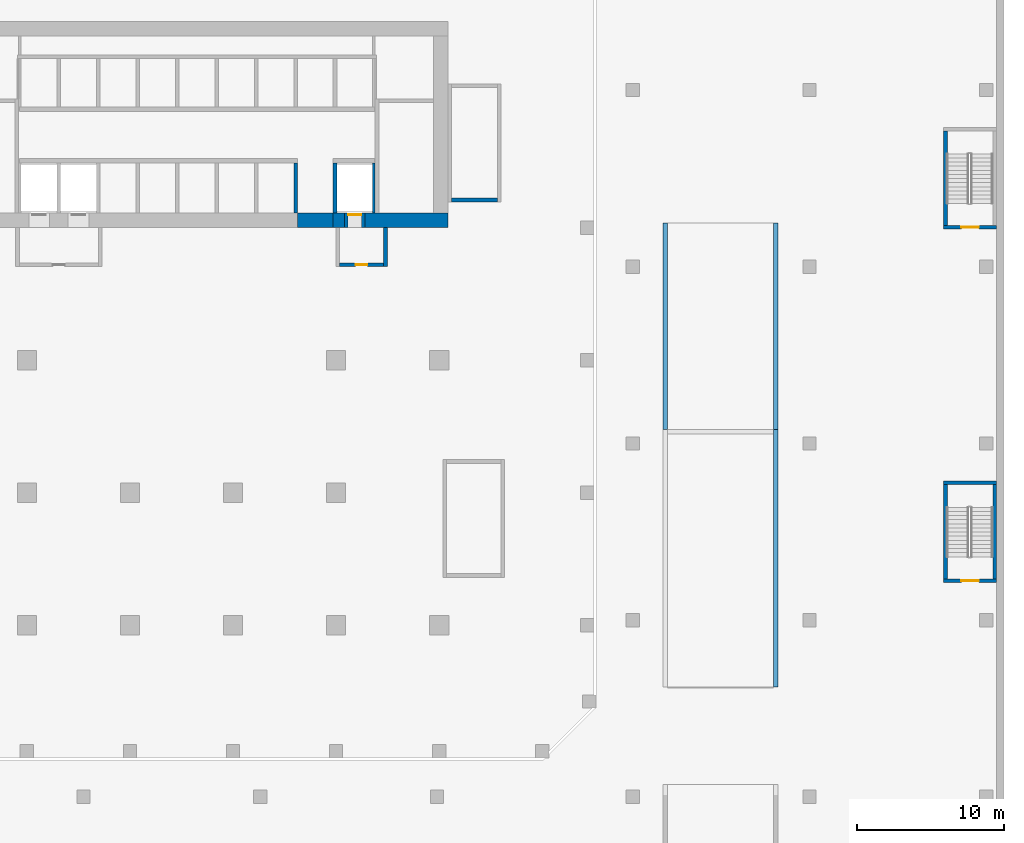
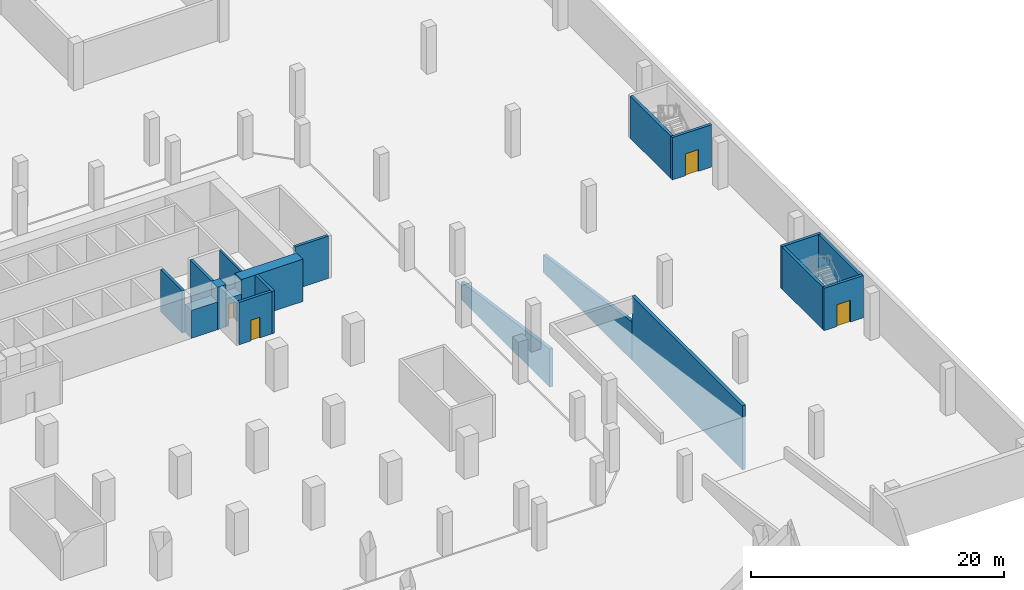
# One storey, part 6 of 11: 19 walls, 4 doors, 4 openings.
"""IFC4 building model written with IfcOpenShell, lengths in metres."""

from ifc_helpers import new_model, si_unit, direction, frame, frame_2d, origin, place, context, subcontext, project, spatial, polyline, rectangle, outline, extrude, source, transform, mapped, material, layer, layer_set, type_object, element, fill, save


model = new_model("IFC4")

# Units and contexts
model_context = context("Model", 3, precision=1e-05, world=origin(), true_north=direction((0.0, 1.0)))
body_context = subcontext(model_context, "Body", "Model", "MODEL_VIEW")
ifc_project = project(units=[si_unit("LENGTHUNIT", "METRE"), si_unit("AREAUNIT", "SQUARE_METRE"), si_unit("VOLUMEUNIT", "CUBIC_METRE"), si_unit("PLANEANGLEUNIT", "RADIAN"), si_unit("MASSUNIT", "GRAM", prefix="KILO")], contexts=[model_context])

# Site, building, storey
site_placement = place(None, origin())
site = spatial("IfcSite", under=ifc_project, at=site_placement, CompositionType="ELEMENT")
building_placement = place(site_placement, origin())
building = spatial("IfcBuilding", under=site, at=building_placement, Name="Kilnfold Tower and Market Hall", CompositionType="ELEMENT")
storey_placement = place(building_placement, frame((0.0, 0.0, -4.5)))
storey = spatial("IfcBuildingStorey", under=building, at=storey_placement, Name="B1", CompositionType="ELEMENT", Elevation=-4.5)

# Walls
ifc_material_1 = material(Name="Concrete C40/50", Category="concrete")
ifc_layer_1 = layer(ifc_material_1, 0.300048828125)
ifc_layer_set_1 = layer_set([ifc_layer_1], Name="Concrete C40/50")
wall_type_1 = type_object("IfcWallType", Name="CAR PARK RAMP SIDE WALL 300", PredefinedType="SOLIDWALL", material=ifc_layer_set_1)
wall_1_placement = place(storey_placement, frame((40.35009765625, -23.199951171875, -5.10009765625), z_axis=(0.0, 0.0, 1.0), x_axis=(0.0, 1.0, 0.0)))
element("IfcWall", 1, at=wall_1_placement, inside=storey, type_object=wall_type_1, Name="Ramp side wall 8", PredefinedType="SOLIDWALL", context=body_context, shape_type="SweptSolid", body=[
    extrude(outline(polyline([(0.0, 0.0), (17.5, 0.0), (17.5, 6.2001953125), (0.0, 6.2001953125), (0.0, 0.0)])), frame((0.0, 0.14990234375, 0.0), z_axis=(0.0, -1.0, 0.0), x_axis=(1.0, 0.0, 0.0)), (0.0, 0.0, 1.0), 0.300048828125),
])
for number, where, z_axis, x_axis, name in (
    (2, (32.85009765625, -5.699951171875, -5.10009765625), (0.0, 0.0, 1.0), (0.0, 1.0, 0.0), "Ramp side wall 9"),
    (3, (40.35009765625, -5.699951171875, -5.10009765625), (0.0, 0.0, 1.0), (0.0, 1.0, 0.0), "Ramp side wall 10"),
):
    element("IfcWall", number, at=place(storey_placement, frame(where, z_axis=z_axis, x_axis=x_axis)), inside=storey, type_object=wall_type_1, Name=name, PredefinedType="SOLIDWALL", context=body_context, shape_type="SweptSolid", body=[
        extrude(outline(polyline([(0.0, 0.0), (14.0, 0.0), (14.0, 1.7001953125), (0.0, 3.7001953125), (0.0, 0.0)])), frame((0.0, 0.14990234375, 0.0), z_axis=(0.0, -1.0, 0.0), x_axis=(1.0, 0.0, 0.0)), (0.0, 0.0, 1.0), 0.300048828125),
    ])
ifc_material_2 = material(Name="Concrete C80", Category="concrete")
ifc_layer_2 = layer(ifc_material_2, 1.0)
ifc_layer_set_2 = layer_set([ifc_layer_2], Name="Concrete C80")
wall_type_2 = type_object("IfcWallType", Name="CORE WALL 1000 C80", PredefinedType="SHEAR", material=ifc_layer_set_2)
shared_shape_1 = source(origin(), body_context, "Body", "SweptSolid", [
    extrude(rectangle(XDim=0.780029296875, YDim=1.0, at=frame_2d((0.39013671875, 0.0))), origin(), (0.0, 0.0, 1.0), 4.090087890625),
])
wall_2_placement = place(storey_placement, frame((10.2900390625, 8.5, 0.0), z_axis=(0.0, 0.0, 1.0), x_axis=(1.0, 0.0, 0.0)))
element("IfcWall", 4, at=wall_2_placement, inside=storey, type_object=wall_type_2, Name="Core outer wall south", PredefinedType="SHEAR", context=body_context, shape_type="MappedRepresentation", body=[
    mapped(shared_shape_1, transform((0.0, 0.0, 0.0))),
])
shared_shape_2 = source(origin(), body_context, "Body", "SweptSolid", [
    extrude(rectangle(XDim=5.630126953125, YDim=1.0, at=frame_2d((2.81494140625, 0.0))), origin(), (0.0, 0.0, 1.0), 4.090087890625),
])
wall_3_placement = place(storey_placement, frame((12.469970703125, 8.5, 0.0), z_axis=(0.0, 0.0, 1.0), x_axis=(1.0, 0.0, 0.0)))
element("IfcWall", 5, at=wall_3_placement, inside=storey, type_object=wall_type_2, Name="Core outer wall south", PredefinedType="SHEAR", context=body_context, shape_type="MappedRepresentation", body=[
    mapped(shared_shape_2, transform((0.0, 0.0, 0.0))),
])
ifc_material_3 = material(Name="Concrete C80", Category="concrete")
ifc_layer_3 = layer(ifc_material_3, 0.25)
ifc_layer_set_3 = layer_set([ifc_layer_3], Name="Concrete C80")
wall_type_3 = type_object("IfcWallType", Name="CORE WALL 250 C80", PredefinedType="SHEAR", material=ifc_layer_set_3)
shared_shape_3 = source(origin(), body_context, "Body", "SweptSolid", [
    extrude(rectangle(XDim=3.099853515625, YDim=0.25, at=frame_2d((1.5498046875, 0.0))), origin(), (0.0, 0.0, 1.0), 4.090087890625),
])
wall_4_placement = place(storey_placement, frame((18.35009765625, 9.875, 0.0), z_axis=(0.0, 0.0, 1.0), x_axis=(1.0, 0.0, 0.0)))
element("IfcWall", 6, at=wall_4_placement, inside=storey, type_object=wall_type_3, Name="Stair enclosure ST5", PredefinedType="SHEAR", context=body_context, shape_type="MappedRepresentation", body=[
    mapped(shared_shape_3, transform((0.0, 0.0, 0.0))),
])

# Wall, opening, door
ifc_material_4 = material(Name="Gypsum shaft wall system")
ifc_layer_4 = layer(ifc_material_4, 1.0)
ifc_layer_set_4 = layer_set([ifc_layer_4], Name="Gypsum shaft wall system")
wall_type_4 = type_object("IfcWallType", Name="LOBBY WALL 1000", PredefinedType="PARTITIONING", material=ifc_layer_set_4)
shared_shape_4 = source(origin(), body_context, "Body", "SweptSolid", [
    extrude(rectangle(XDim=1.39990234375, YDim=1.0, at=frame_2d((0.699951171875, 0.0))), origin(), (0.0, 0.0, 1.0), 2.699951171875),
])
wall_5_placement = place(storey_placement, frame((11.070068359375, 8.5, 0.0), z_axis=(0.0, 0.0, 1.0), x_axis=(1.0, 0.0, 0.0)))
wall_5 = element("IfcWall", 7, at=wall_5_placement, inside=storey, type_object=wall_type_4, Name="Core wall infill", PredefinedType="PARTITIONING", context=body_context, shape_type="MappedRepresentation", body=[
    mapped(shared_shape_4, transform((0.0, 0.0, 0.0))),
])
opening_1_placement = place(wall_5_placement, frame((0.25, 0.0, 0.0)))
opening_1 = element("IfcOpeningElement", 8, at=opening_1_placement, cuts=wall_5, Name="Opening LD1", PredefinedType="OPENING", context=body_context, shape_type="SweptSolid", body=[
    extrude(rectangle(XDim=0.89990234375, YDim=2.10009765625, at=frame_2d((0.449951171875, 1.050048828125))), frame((0.0, 0.510009765625, 0.0), z_axis=(0.0, -1.0, 0.0), x_axis=(1.0, 0.0, 0.0)), (0.0, 0.0, 1.0), 1.02001953125),
])
ifc_material_5 = material(Name="Steel door set with fire-resisting leaf", Category="steel")
door_type_1 = type_object("IfcDoorType", Name="FIREFIGHTING LANDING DOOR 900X2100", OperationType="NOTDEFINED", PredefinedType="DOOR", material=ifc_material_5)
door_1_placement = place(opening_1_placement, origin())
door_1 = element("IfcDoor", 9, at=door_1_placement, inside=storey, type_object=door_type_1, Name="Landing door FF3", OperationType="SLIDING_TO_LEFT", OverallHeight=2.10009765625, OverallWidth=0.89990234375, PredefinedType="DOOR", context=body_context, shape_type="SweptSolid", body=[
    extrude(rectangle(XDim=0.89990234375, YDim=2.10009765625, at=frame_2d((0.449951171875, 1.050048828125))), frame((0.0, 0.40478515625, 0.0), z_axis=(0.0, -1.0, 0.0), x_axis=(1.0, 0.0, 0.0)), (0.0, 0.0, 1.0), 0.050048828125),
])
fill(opening_1, door_1)

# Walls
shared_shape_5 = source(origin(), body_context, "Body", "SweptSolid", [
    extrude(rectangle(XDim=2.400146484375, YDim=1.0, at=frame_2d((1.2001953125, 0.0))), origin(), (0.0, 0.0, 1.0), 2.699951171875),
])
wall_6_placement = place(storey_placement, frame((7.889892578125, 8.5, 0.0), z_axis=(0.0, 0.0, 1.0), x_axis=(1.0, 0.0, 0.0)))
element("IfcWall", 10, at=wall_6_placement, inside=storey, type_object=wall_type_4, Name="Core wall infill", PredefinedType="PARTITIONING", context=body_context, shape_type="MappedRepresentation", body=[
    mapped(shared_shape_5, transform((0.0, 0.0, 0.0))),
])
ifc_material_6 = material(Name="Gypsum shaft wall system")
ifc_layer_5 = layer(ifc_material_6, 0.25)
ifc_layer_set_5 = layer_set([ifc_layer_5], Name="Gypsum shaft wall system")
wall_type_5 = type_object("IfcWallType", Name="LOBBY WALL 250", PredefinedType="PARTITIONING", material=ifc_layer_set_5)
shared_shape_6 = source(origin(), body_context, "Body", "SweptSolid", [
    extrude(rectangle(XDim=2.64990234375, YDim=0.25, at=frame_2d((1.324951171875, 0.0))), origin(), (0.0, 0.0, 1.0), 4.090087890625),
])
wall_7_placement = place(storey_placement, frame((13.85498046875, 5.35009765625, 0.0), z_axis=(0.0, 0.0, 1.0), x_axis=(0.0, 1.0, 0.0)))
element("IfcWall", 11, at=wall_7_placement, inside=storey, type_object=wall_type_5, Name="Firefighting lobby wall", PredefinedType="PARTITIONING", context=body_context, shape_type="MappedRepresentation", body=[
    mapped(shared_shape_6, transform((0.0, 0.0, 0.0))),
])

# Wall, opening, door
shared_shape_7 = source(origin(), body_context, "Body", "SweptSolid", [
    extrude(rectangle(XDim=3.0, YDim=0.25, at=frame_2d((1.5, 0.0))), origin(), (0.0, 0.0, 1.0), 4.090087890625),
])
wall_8_placement = place(storey_placement, frame((10.72998046875, 5.47509765625, 0.0), z_axis=(0.0, 0.0, 1.0), x_axis=(1.0, 0.0, 0.0)))
wall_8 = element("IfcWall", 12, at=wall_8_placement, inside=storey, type_object=wall_type_5, Name="Firefighting lobby wall", PredefinedType="PARTITIONING", context=body_context, shape_type="MappedRepresentation", body=[
    mapped(shared_shape_7, transform((0.0, 0.0, 0.0))),
])
opening_2_placement = place(wall_8_placement, frame((1.10009765625, 0.0, 0.0)))
opening_2 = element("IfcOpeningElement", 13, at=opening_2_placement, cuts=wall_8, Name="Opening VD1", PredefinedType="OPENING", context=body_context, shape_type="SweptSolid", body=[
    extrude(rectangle(XDim=0.800048828125, YDim=2.0, at=frame_2d((0.39990234375, 1.0))), frame((0.0, 0.135009765625, 0.0), z_axis=(0.0, -1.0, 0.0), x_axis=(1.0, 0.0, 0.0)), (0.0, 0.0, 1.0), 0.27001953125),
])
ifc_material_7 = material(Name="Steel door set with fire-resisting leaf", Category="steel")
door_type_2 = type_object("IfcDoorType", Name="FIREFIGHTING LOBBY DOOR 800X2000", OperationType="NOTDEFINED", PredefinedType="DOOR", material=ifc_material_7)
door_2_placement = place(opening_2_placement, origin())
door_2 = element("IfcDoor", 14, at=door_2_placement, inside=storey, type_object=door_type_2, Name="Firefighting lobby door", OperationType="SINGLE_SWING_RIGHT", OverallHeight=2.0, OverallWidth=0.800048828125, PredefinedType="DOOR", context=body_context, shape_type="SweptSolid", body=[
    extrude(rectangle(XDim=0.800048828125, YDim=2.0, at=frame_2d((0.39990234375, 1.0))), frame((0.0, 0.02490234375, 0.0), z_axis=(0.0, -1.0, 0.0), x_axis=(1.0, 0.0, 0.0)), (0.0, 0.0, 1.0), 0.050048828125),
])
fill(opening_2, door_2)

# Walls
ifc_material_8 = material(Name="Gypsum shaft wall system")
ifc_layer_6 = layer(ifc_material_8, 0.25)
ifc_layer_set_6 = layer_set([ifc_layer_6], Name="Gypsum shaft wall system")
wall_type_6 = type_object("IfcWallType", Name="SHAFT WALL 250", PredefinedType="PARTITIONING", material=ifc_layer_set_6)
shared_shape_8 = source(origin(), body_context, "Body", "SweptSolid", [
    extrude(rectangle(XDim=3.39990234375, YDim=0.25, at=frame_2d((1.699951171875, 0.0))), origin(), (0.0, 0.0, 1.0), 4.090087890625),
])
for number, where, z_axis, x_axis, name in (
    (15, (10.429931640625, 9.0, 0.0), (0.0, 0.0, 1.0), (0.0, 1.0, 0.0), "Lift shaft wall"),
    (16, (7.75, 9.0, 0.0), (0.0, 0.0, 1.0), (0.0, 1.0, 0.0), "Lift shaft wall"),
):
    element("IfcWall", number, at=place(storey_placement, frame(where, z_axis=z_axis, x_axis=x_axis)), inside=storey, type_object=wall_type_6, Name=name, PredefinedType="PARTITIONING", context=body_context, shape_type="MappedRepresentation", body=[
        mapped(shared_shape_8, transform((0.0, 0.0, 0.0))),
    ])
ifc_material_9 = material(Name="Gypsum shaft wall system")
ifc_layer_7 = layer(ifc_material_9, 0.1650390625)
ifc_layer_set_7 = layer_set([ifc_layer_7], Name="Gypsum shaft wall system")
wall_type_7 = type_object("IfcWallType", Name="SHAFT WALL 165", PredefinedType="PARTITIONING", material=ifc_layer_set_7)
shared_shape_9 = source(origin(), body_context, "Body", "SweptSolid", [
    extrude(rectangle(XDim=3.39990234375, YDim=0.1650390625, at=frame_2d((1.699951171875, 0.0))), origin(), (0.0, 0.0, 1.0), 4.090087890625),
])
wall_9_placement = place(storey_placement, frame((13.0673828125, 9.0, 0.0), z_axis=(0.0, 0.0, 1.0), x_axis=(0.0, 1.0, 0.0)))
element("IfcWall", 17, at=wall_9_placement, inside=storey, type_object=wall_type_7, Name="Lift shaft wall", PredefinedType="PARTITIONING", context=body_context, shape_type="MappedRepresentation", body=[
    mapped(shared_shape_9, transform((0.0, 0.0, 0.0))),
])

# Wall, opening, door
ifc_material_10 = material(Name="Concrete C50/60", Category="concrete")
ifc_layer_8 = layer(ifc_material_10, 0.25)
ifc_layer_set_8 = layer_set([ifc_layer_8], Name="Concrete C50/60")
wall_type_8 = type_object("IfcWallType", Name="CAR PARK STAIR WALL 250", PredefinedType="SHEAR", material=ifc_layer_set_8)
shared_shape_10 = source(origin(), body_context, "Body", "SweptSolid", [
    extrude(rectangle(XDim=3.60009765625, YDim=0.25, at=frame_2d((1.800048828125, 0.0))), origin(), (0.0, 0.0, 1.0), 4.090087890625),
])
wall_10_placement = place(storey_placement, frame((51.75, -15.97509765625, 0.0), z_axis=(0.0, 0.0, 1.0), x_axis=(1.0, 0.0, 0.0)))
wall_10 = element("IfcWall", 18, at=wall_10_placement, inside=storey, type_object=wall_type_8, Name="Stair CS3 wall south", PredefinedType="SHEAR", context=body_context, shape_type="MappedRepresentation", body=[
    mapped(shared_shape_10, transform((0.0, 0.0, 0.0))),
])
opening_3_placement = place(wall_10_placement, frame((1.199951171875, 0.0, 0.0)))
opening_3 = element("IfcOpeningElement", 19, at=opening_3_placement, cuts=wall_10, Name="Opening FD2", PredefinedType="OPENING", context=body_context, shape_type="SweptSolid", body=[
    extrude(rectangle(XDim=1.199951171875, YDim=2.10009765625, at=frame_2d((0.60009765625, 1.050048828125))), frame((0.0, 0.135009765625, 0.0), z_axis=(0.0, -1.0, 0.0), x_axis=(1.0, 0.0, 0.0)), (0.0, 0.0, 1.0), 0.27001953125),
])
ifc_material_11 = material(Name="Steel S355", Category="steel")
door_type_3 = type_object("IfcDoorType", Name="CAR PARK STAIR DOOR 1200X2100", OperationType="NOTDEFINED", PredefinedType="DOOR", material=ifc_material_11)
door_3_placement = place(opening_3_placement, origin())
door_3 = element("IfcDoor", 20, at=door_3_placement, inside=storey, type_object=door_type_3, Name="Stair CS3 door", OperationType="SINGLE_SWING_LEFT", OverallHeight=2.10009765625, OverallWidth=1.199951171875, PredefinedType="DOOR", context=body_context, shape_type="SweptSolid", body=[
    extrude(rectangle(XDim=1.199951171875, YDim=2.10009765625, at=frame_2d((0.60009765625, 1.050048828125))), frame((0.0, 0.02490234375, 0.0), z_axis=(0.0, -1.0, 0.0), x_axis=(1.0, 0.0, 0.0)), (0.0, 0.0, 1.0), 0.050048828125),
])
fill(opening_3, door_3)

# Wall
wall_11_placement = place(storey_placement, frame((51.75, -9.324951171875, 0.0), z_axis=(0.0, 0.0, 1.0), x_axis=(1.0, 0.0, 0.0)))
element("IfcWall", 21, at=wall_11_placement, inside=storey, type_object=wall_type_8, Name="Stair CS3 wall north", PredefinedType="SHEAR", context=body_context, shape_type="MappedRepresentation", body=[
    mapped(shared_shape_10, transform((0.0, 0.0, 0.0))),
])

# Wall, opening, door
wall_12_placement = place(storey_placement, frame((51.75, 8.02490234375, 0.0), z_axis=(0.0, 0.0, 1.0), x_axis=(1.0, 0.0, 0.0)))
wall_12 = element("IfcWall", 22, at=wall_12_placement, inside=storey, type_object=wall_type_8, Name="Stair CS4 wall south", PredefinedType="SHEAR", context=body_context, shape_type="MappedRepresentation", body=[
    mapped(shared_shape_10, transform((0.0, 0.0, 0.0))),
])
opening_4_placement = place(wall_12_placement, frame((1.199951171875, 0.0, 0.0)))
opening_4 = element("IfcOpeningElement", 23, at=opening_4_placement, cuts=wall_12, Name="Opening FD2", PredefinedType="OPENING", context=body_context, shape_type="SweptSolid", body=[
    extrude(rectangle(XDim=1.199951171875, YDim=2.10009765625, at=frame_2d((0.60009765625, 1.050048828125))), frame((0.0, 0.135009765625, 0.0), z_axis=(0.0, -1.0, 0.0), x_axis=(1.0, 0.0, 0.0)), (0.0, 0.0, 1.0), 0.27001953125),
])
door_4_placement = place(opening_4_placement, origin())
door_4 = element("IfcDoor", 24, at=door_4_placement, inside=storey, type_object=door_type_3, Name="Stair CS4 door", OperationType="SINGLE_SWING_RIGHT", OverallHeight=2.10009765625, OverallWidth=1.199951171875, PredefinedType="DOOR", context=body_context, shape_type="SweptSolid", body=[
    extrude(rectangle(XDim=1.199951171875, YDim=2.10009765625, at=frame_2d((0.60009765625, 1.050048828125))), frame((0.0, 0.02490234375, 0.0), z_axis=(0.0, -1.0, 0.0), x_axis=(1.0, 0.0, 0.0)), (0.0, 0.0, 1.0), 0.050048828125),
])
fill(opening_4, door_4)

# Walls
shared_shape_11 = source(origin(), body_context, "Body", "SweptSolid", [
    extrude(rectangle(XDim=6.400146484375, YDim=0.25, at=frame_2d((3.2001953125, 0.0))), origin(), (0.0, 0.0, 1.0), 4.090087890625),
])
for number, where, z_axis, x_axis, name in (
    (25, (51.875, -15.85009765625, 0.0), (0.0, 0.0, 1.0), (0.0, 1.0, 0.0), "Stair CS3 wall west"),
    (26, (55.22509765625, -15.85009765625, 0.0), (0.0, 0.0, 1.0), (0.0, 1.0, 0.0), "Stair CS3 wall east"),
    (27, (51.875, 8.14990234375, 0.0), (0.0, 0.0, 1.0), (0.0, 1.0, 0.0), "Stair CS4 wall west"),
):
    element("IfcWall", number, at=place(storey_placement, frame(where, z_axis=z_axis, x_axis=x_axis)), inside=storey, type_object=wall_type_8, Name=name, PredefinedType="SHEAR", context=body_context, shape_type="MappedRepresentation", body=[
        mapped(shared_shape_11, transform((0.0, 0.0, 0.0))),
    ])

save(model, "model.ifc")
